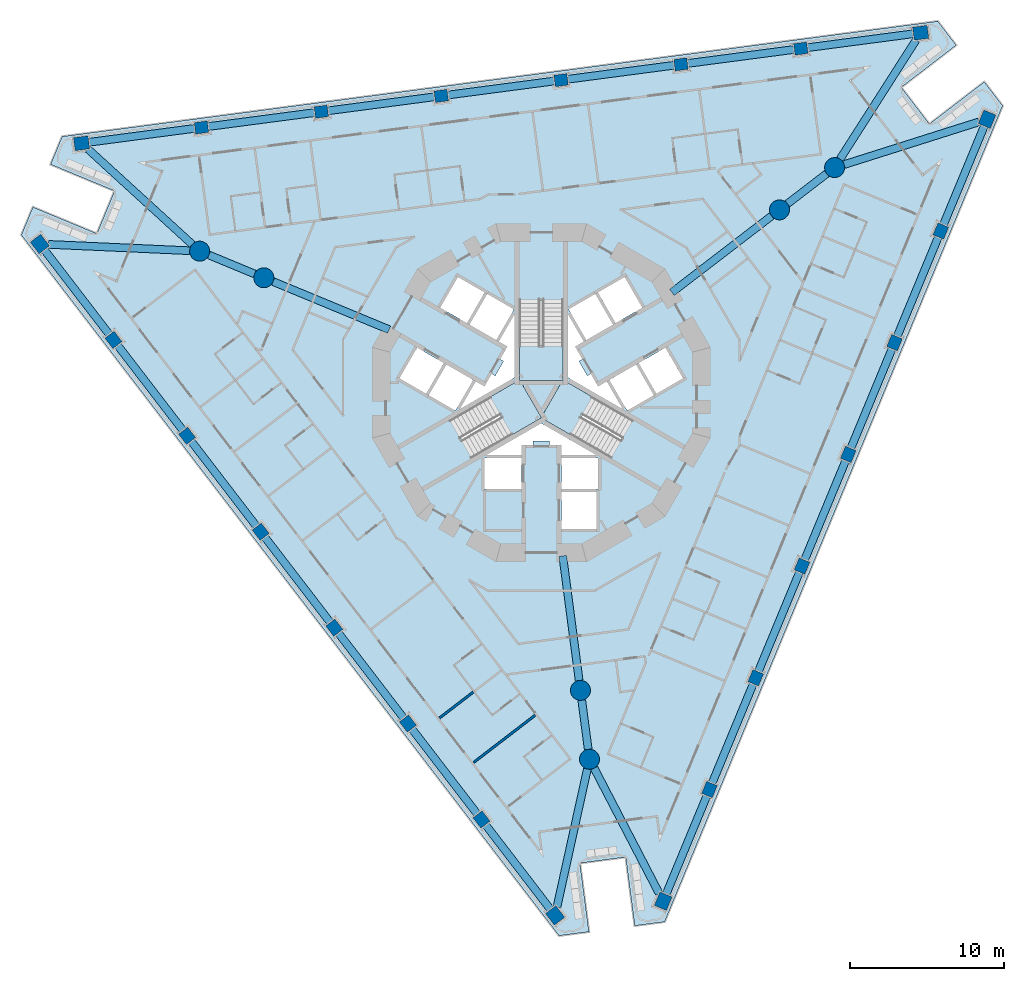
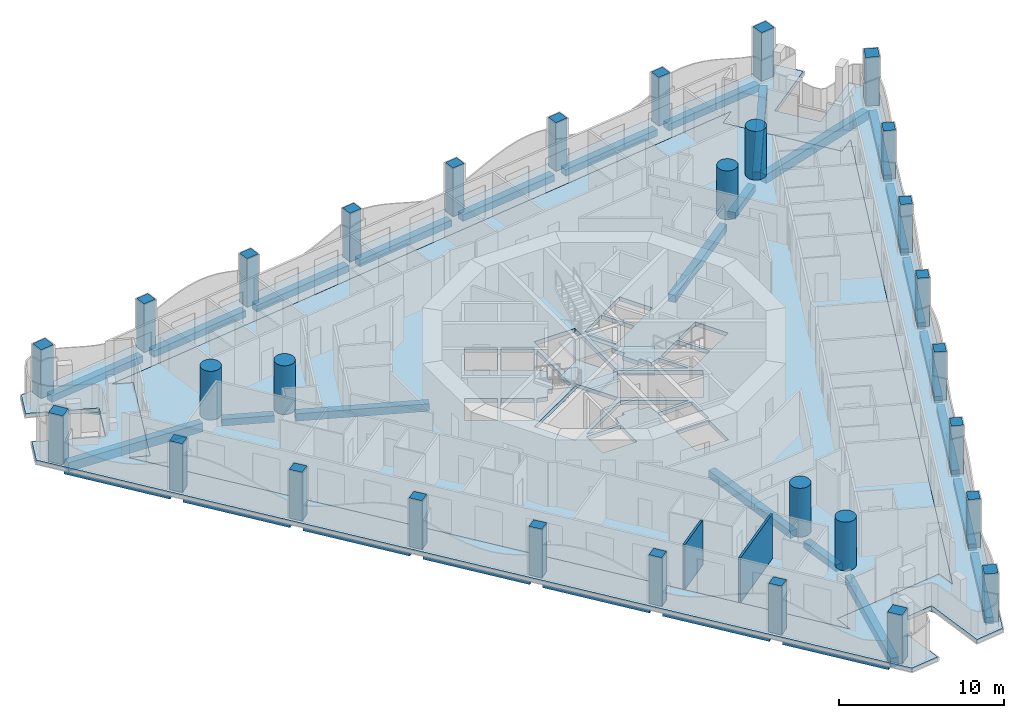
# One storey, part 1 of 19: 33 beams, 30 columns, 6 slabs, 2 walls, 3 elements without a shape of their own.
"""IFC4 building model written with IfcOpenShell, lengths in metres."""

from ifc_helpers import new_model, si_unit, direction, frame, frame_2d, origin, origin_2d, place, context, subcontext, project, spatial, polyline, rectangle, circle, outline, extrude, material, layer, layer_set, material_profile, profile_set, type_object, element, aggregate, save


model = new_model("IFC4")

# Units and contexts
model_context = context("Model", 3, precision=1e-05, world=origin(), true_north=direction((0.0, 1.0)))
body_context = subcontext(model_context, "Body", "Model", "MODEL_VIEW")
ifc_project = project(units=[si_unit("LENGTHUNIT", "METRE"), si_unit("AREAUNIT", "SQUARE_METRE"), si_unit("VOLUMEUNIT", "CUBIC_METRE"), si_unit("PLANEANGLEUNIT", "RADIAN"), si_unit("MASSUNIT", "GRAM", prefix="KILO")], contexts=[model_context])

# Site, building, storey
site_placement = place(None, origin())
site = spatial("IfcSite", under=ifc_project, at=site_placement, CompositionType="ELEMENT")
building_placement = place(site_placement, origin())
building = spatial("IfcBuilding", under=site, at=building_placement, Name="Trine Commons Tower", CompositionType="ELEMENT")
storey_placement = place(building_placement, frame((0.0, 0.0, 68.39990234375)))
storey = spatial("IfcBuildingStorey", under=building, at=storey_placement, Name="L16", CompositionType="ELEMENT", Elevation=68.39990234375)

# Columns
ifc_material_1 = material(Name="Concrete C80/95", Category="concrete")
ifc_material_profile_1 = material_profile(ifc_material_1, rectangle(XDim=0.85009765625, YDim=0.75, at=origin_2d()), Name="RC 850x750")
ifc_profile_set_1 = profile_set([ifc_material_profile_1], Name="Concrete C80/95")
column_type_1 = type_object("IfcColumnType", Name="RC column 850x750, C80/95", PredefinedType="COLUMN", material=ifc_profile_set_1)
for number, where, z_axis, x_axis, name in (
    (1, (76.1142578125, 34.74853515625, 0.0), (0.0, 0.0, 1.0), (-0.608761429009, 0.793353340291, 0.0), "Column PC2-02 L16"),
    (2, (71.3291015625, 40.984619140625, 0.0), (0.0, 0.0, 1.0), (-0.608761429009, 0.793353340291, 0.0), "Column PC2-03 L16"),
    (3, (66.5439453125, 47.220703125, 0.0), (0.0, 0.0, 1.0), (-0.608761429009, 0.793353340291, 0.0), "Column PC2-04 L16"),
    (4, (61.7587890625, 53.45703125, 0.0), (0.0, 0.0, 1.0), (-0.608761429009, 0.793353340291, 0.0), "Column PC2-05 L16"),
    (5, (56.9736328125, 59.693115234375, 0.0), (0.0, 0.0, 1.0), (-0.608761429009, 0.793353340291, 0.0), "Column PC2-06 L16"),
    (6, (52.1884765625, 65.92919921875, 0.0), (0.0, 0.0, 1.0), (-0.608761429009, 0.793353340291, 0.0), "Column PC2-07 L16"),
    (7, (57.9091796875, 79.740966796875, 0.0), (0.0, 0.0, 1.0), (0.991444861374, 0.13052619222, 0.0), "Column PC2-10 L16"),
    (8, (65.70263671875, 80.766845703125, 0.0), (0.0, 0.0, 1.0), (0.991444861374, 0.13052619222, 0.0), "Column PC2-11 L16"),
    (9, (73.495849609375, 81.79296875, 0.0), (0.0, 0.0, 1.0), (0.991444861374, 0.13052619222, 0.0), "Column PC2-12 L16"),
    (10, (81.2890625, 82.81884765625, 0.0), (0.0, 0.0, 1.0), (0.991444861374, 0.13052619222, 0.0), "Column PC2-13 L16"),
    (11, (89.08251953125, 83.844970703125, 0.0), (0.0, 0.0, 1.0), (0.991444861374, 0.13052619222, 0.0), "Column PC2-14 L16"),
    (12, (96.875732421875, 84.870849609375, 0.0), (0.0, 0.0, 1.0), (0.991444861374, 0.13052619222, 0.0), "Column PC2-15 L16"),
    (13, (105.976318359375, 73.010498046875, 0.0), (0.0, 0.0, 1.0), (0.382683432365, 0.923879532511, 0.0), "Column PC2-18 L16"),
    (14, (102.96826171875, 65.74853515625, 0.0), (0.0, 0.0, 1.0), (0.382683432365, 0.923879532511, 0.0), "Column PC2-19 L16"),
    (15, (99.960205078125, 58.486328125, 0.0), (0.0, 0.0, 1.0), (0.382683432365, 0.923879532511, 0.0), "Column PC2-20 L16"),
    (16, (96.9521484375, 51.22412109375, 0.0), (0.0, 0.0, 1.0), (0.382683432365, 0.923879532511, 0.0), "Column PC2-21 L16"),
    (17, (93.944091796875, 43.9619140625, 0.0), (0.0, 0.0, 1.0), (0.382683432365, 0.923879532511, 0.0), "Column PC2-22 L16"),
    (18, (90.935791015625, 36.69970703125, 0.0), (0.0, 0.0, 1.0), (0.382683432365, 0.923879532511, 0.0), "Column PC2-23 L16"),
):
    element("IfcColumn", number, at=place(storey_placement, frame(where, z_axis=z_axis, x_axis=x_axis)), inside=storey, type_object=column_type_1, Name=name, PredefinedType="COLUMN", context=body_context, shape_type="SweptSolid", body=[
        extrude(rectangle(XDim=0.85009765625, YDim=0.75, at=origin_2d()), origin(), (0.0, 0.0, 1.0), 3.60009765625),
    ])
ifc_material_profile_2 = material_profile(ifc_material_1, rectangle(XDim=0.949951171875, YDim=0.85009765625, at=origin_2d()), Name="RC 950x850")
ifc_profile_set_2 = profile_set([ifc_material_profile_2], Name="Concrete C80/95")
column_type_2 = type_object("IfcColumnType", Name="RC column 950x850, C80/95", PredefinedType="COLUMN", material=ifc_profile_set_2)
for number, where, z_axis, x_axis, name in (
    (19, (80.8994140625, 28.51220703125, 0.0), (0.0, 0.0, 1.0), (-0.608761429009, 0.793353340291, 0.0), "Column PC2-01 L16"),
    (20, (47.4033203125, 72.16552734375, 0.0), (0.0, 0.0, 1.0), (-0.608761429009, 0.793353340291, 0.0), "Column PC2-08 L16"),
    (21, (50.1162109375, 78.71484375, 0.0), (0.0, 0.0, 1.0), (0.991444861374, 0.13052619222, 0.0), "Column PC2-09 L16"),
    (22, (104.6689453125, 85.89697265625, 0.0), (0.0, 0.0, 1.0), (0.991444861374, 0.13052619222, 0.0), "Column PC2-16 L16"),
    (23, (108.984375, 80.272705078125, 0.0), (0.0, 0.0, 1.0), (0.382683432365, 0.923879532511, 0.0), "Column PC2-17 L16"),
    (24, (87.927734375, 29.4375, 0.0), (0.0, 0.0, 1.0), (0.382683432365, 0.923879532511, 0.0), "Column PC2-24 L16"),
):
    element("IfcColumn", number, at=place(storey_placement, frame(where, z_axis=z_axis, x_axis=x_axis)), inside=storey, type_object=column_type_2, Name=name, PredefinedType="COLUMN", context=body_context, shape_type="SweptSolid", body=[
        extrude(rectangle(XDim=0.949951171875, YDim=0.85009765625, at=origin_2d()), origin(), (0.0, 0.0, 1.0), 3.60009765625),
    ])
ifc_material_profile_3 = material_profile(ifc_material_1, circle(Radius=0.64990234375, at=origin_2d()), Name="RC round 1300")
ifc_profile_set_3 = profile_set([ifc_material_profile_3], Name="Concrete C80/95")
column_type_3 = type_object("IfcColumnType", Name="RC round column 1300 mm, C80/95", PredefinedType="COLUMN", material=ifc_profile_set_3)
for number, where, z_axis, x_axis, name in (
    (25, (82.548095703125, 43.14453125, 0.0), (0.0, 0.0, 1.0), (1.0, 0.0, 0.0), "Column WC2-1 L16"),
    (26, (83.1376953125, 38.6669921875, 0.0), (0.0, 0.0, 1.0), (1.0, 0.0, 0.0), "Column WC2-2 L16"),
    (27, (95.48828125, 74.384521484375, 0.0), (0.0, 0.0, 1.0), (1.0, 0.0, 0.0), "Column WC2-3 L16"),
    (28, (99.071044921875, 77.1337890625, 0.0), (0.0, 0.0, 1.0), (1.0, 0.0, 0.0), "Column WC2-4 L16"),
    (29, (61.963623046875, 69.970947265625, 0.0), (0.0, 0.0, 1.0), (1.0, 0.0, 0.0), "Column WC2-5 L16"),
    (30, (57.791259765625, 71.69921875, 0.0), (0.0, 0.0, 1.0), (1.0, 0.0, 0.0), "Column WC2-6 L16"),
):
    element("IfcColumn", number, at=place(storey_placement, frame(where, z_axis=z_axis, x_axis=x_axis)), inside=storey, type_object=column_type_3, Name=name, PredefinedType="COLUMN", context=body_context, shape_type="SweptSolid", body=[
        extrude(circle(Radius=0.64990234375, at=origin_2d()), origin(), (0.0, 0.0, 1.0), 3.60009765625),
    ])

# Beams
ifc_material_2 = material(Name="Concrete C50/60", Category="concrete")
ifc_material_profile_4 = material_profile(ifc_material_2, rectangle(XDim=0.5, YDim=0.5, at=origin_2d()), Name="RC 500x500")
ifc_profile_set_4 = profile_set([ifc_material_profile_4], Name="Concrete C50/60")
beam_type_1 = type_object("IfcBeamType", Name="RC beam 500x500, C50/60", PredefinedType="BEAM", material=ifc_profile_set_4)
beam_1_placement = place(storey_placement, frame((80.6103515625, 28.88916015625, -0.5498046875), z_axis=(-0.608757694977, 0.793356205501, 0.0), x_axis=(-0.793356205501, -0.608757694977, 0.0)))
element("IfcBeam", 31, at=beam_1_placement, inside=storey, type_object=beam_type_1, Name="Beam EB2-01 L16", PredefinedType="BEAM", context=body_context, shape_type="SweptSolid", body=[
    extrude(rectangle(XDim=0.5, YDim=0.5, at=origin_2d()), origin(), (0.0, 0.0, 1.0), 6.960693359375),
])
beam_2_placement = place(storey_placement, frame((75.855712890625, 35.085693359375, -0.5498046875), z_axis=(-0.608772912064, 0.793344528901, 0.0), x_axis=(-0.793344528901, -0.608772912064, 0.0)))
element("IfcBeam", 32, at=beam_2_placement, inside=storey, type_object=beam_type_1, Name="Beam EB2-02 L16", PredefinedType="BEAM", context=body_context, shape_type="SweptSolid", body=[
    extrude(rectangle(XDim=0.5, YDim=0.5, at=origin_2d()), origin(), (0.0, 0.0, 1.0), 7.010498046875),
])
beam_3_placement = place(storey_placement, frame((71.0703125, 41.322021484375, -0.5498046875), z_axis=(-0.608767812441, 0.793348442071, 0.0), x_axis=(-0.793348442071, -0.608767812441, 0.0)))
element("IfcBeam", 33, at=beam_3_placement, inside=storey, type_object=beam_type_1, Name="Beam EB2-03 L16", PredefinedType="BEAM", context=body_context, shape_type="SweptSolid", body=[
    extrude(rectangle(XDim=0.5, YDim=0.5, at=origin_2d()), origin(), (0.0, 0.0, 1.0), 7.01025390625),
])
for number, where, z_axis, x_axis, name in (
    (34, (66.285400390625, 47.55810546875, -0.5498046875), (-0.608772912064, 0.793344528901, 0.0), (-0.793344528901, -0.608772912064, 0.0), "Beam EB2-04 L16"),
    (35, (61.5, 53.794189453125, -0.5498046875), (-0.608750992772, 0.793361348188, 0.0), (-0.793361348188, -0.608750992772, 0.0), "Beam EB2-05 L16"),
):
    element("IfcBeam", number, at=place(storey_placement, frame(where, z_axis=z_axis, x_axis=x_axis)), inside=storey, type_object=beam_type_1, Name=name, PredefinedType="BEAM", context=body_context, shape_type="SweptSolid", body=[
        extrude(rectangle(XDim=0.5, YDim=0.5, at=origin_2d()), origin(), (0.0, 0.0, 1.0), 7.010498046875),
    ])
beam_4_placement = place(storey_placement, frame((56.71484375, 60.030517578125, -0.5498046875), z_axis=(-0.608789731625, 0.793331622128, 0.0), x_axis=(-0.793331622128, -0.608789731625, 0.0)))
element("IfcBeam", 36, at=beam_4_placement, inside=storey, type_object=beam_type_1, Name="Beam EB2-06 L16", PredefinedType="BEAM", context=body_context, shape_type="SweptSolid", body=[
    extrude(rectangle(XDim=0.5, YDim=0.5, at=origin_2d()), origin(), (0.0, 0.0, 1.0), 7.01025390625),
])
beam_5_placement = place(storey_placement, frame((51.9296875, 66.2666015625, -0.5498046875), z_axis=(-0.608757694977, 0.793356205501, 0.0), x_axis=(-0.793356205501, -0.608757694977, 0.0)))
element("IfcBeam", 37, at=beam_5_placement, inside=storey, type_object=beam_type_1, Name="Beam EB2-07 L16", PredefinedType="BEAM", context=body_context, shape_type="SweptSolid", body=[
    extrude(rectangle(XDim=0.5, YDim=0.5, at=origin_2d()), origin(), (0.0, 0.0, 1.0), 6.960693359375),
])
beam_6_placement = place(storey_placement, frame((50.5869140625, 78.77685546875, -0.5498046875), z_axis=(0.991446175382, 0.130516210946, 0.0), x_axis=(-0.130516210946, 0.991446175382, 0.0)))
element("IfcBeam", 38, at=beam_6_placement, inside=storey, type_object=beam_type_1, Name="Beam EB2-08 L16", PredefinedType="BEAM", context=body_context, shape_type="SweptSolid", body=[
    extrude(rectangle(XDim=0.5, YDim=0.5, at=origin_2d()), origin(), (0.0, 0.0, 1.0), 6.96044921875),
])
for number, where, z_axis, x_axis, name in (
    (39, (58.330810546875, 79.79638671875, -0.5498046875), (0.991444928767, 0.13052568032, 0.0), (-0.13052568032, 0.991444928767, 0.0), "Beam EB2-09 L16"),
    (40, (66.1240234375, 80.822509765625, -0.5498046875), (0.99144943492, 0.130491447984, 0.0), (-0.130491447984, 0.99144943492, 0.0), "Beam EB2-10 L16"),
    (41, (73.917236328125, 81.848388671875, -0.5498046875), (0.991444928767, 0.13052568032, 0.0), (-0.13052568032, 0.991444928767, 0.0), "Beam EB2-11 L16"),
    (42, (81.71044921875, 82.87451171875, -0.5498046875), (0.99144943492, 0.130491447984, 0.0), (-0.130491447984, 0.99144943492, 0.0), "Beam EB2-12 L16"),
    (43, (89.50390625, 83.900390625, -0.5498046875), (0.991444928767, 0.13052568032, 0.0), (-0.13052568032, 0.991444928767, 0.0), "Beam EB2-13 L16"),
):
    element("IfcBeam", number, at=place(storey_placement, frame(where, z_axis=z_axis, x_axis=x_axis)), inside=storey, type_object=beam_type_1, Name=name, PredefinedType="BEAM", context=body_context, shape_type="SweptSolid", body=[
        extrude(rectangle(XDim=0.5, YDim=0.5, at=origin_2d()), origin(), (0.0, 0.0, 1.0), 7.010498046875),
    ])
for number, where, z_axis, x_axis, name in (
    (44, (97.297119140625, 84.926513671875, -0.5498046875), (0.991446175382, 0.130516210946, 0.0), (-0.130516210946, 0.991446175382, 0.0), "Beam EB2-14 L16"),
    (45, (108.802490234375, 79.833984375, -0.5498046875), (-0.382671898974, -0.923884309714, 0.0), (0.923884309714, -0.382671898974, 0.0), "Beam EB2-15 L16"),
):
    element("IfcBeam", number, at=place(storey_placement, frame(where, z_axis=z_axis, x_axis=x_axis)), inside=storey, type_object=beam_type_1, Name=name, PredefinedType="BEAM", context=body_context, shape_type="SweptSolid", body=[
        extrude(rectangle(XDim=0.5, YDim=0.5, at=origin_2d()), origin(), (0.0, 0.0, 1.0), 6.96044921875),
    ])
beam_7_placement = place(storey_placement, frame((105.813720703125, 72.617919921875, -0.5498046875), z_axis=(-0.382693194178, -0.923875488976, 0.0), x_axis=(0.923875488976, -0.382693194178, 0.0)))
element("IfcBeam", 46, at=beam_7_placement, inside=storey, type_object=beam_type_1, Name="Beam EB2-16 L16", PredefinedType="BEAM", context=body_context, shape_type="SweptSolid", body=[
    extrude(rectangle(XDim=0.5, YDim=0.5, at=origin_2d()), origin(), (0.0, 0.0, 1.0), 7.010498046875),
])
for number, where, z_axis, x_axis, name in (
    (47, (102.8056640625, 65.35595703125, -0.5498046875), (-0.382680881742, -0.92388058901, 0.0), (0.92388058901, -0.382680881742, 0.0), "Beam EB2-17 L16"),
    (48, (99.797607421875, 58.09375, -0.5498046875), (-0.382680881742, -0.92388058901, 0.0), (0.92388058901, -0.382680881742, 0.0), "Beam EB2-18 L16"),
    (49, (96.78955078125, 50.83154296875, -0.5498046875), (-0.382680881742, -0.92388058901, 0.0), (0.92388058901, -0.382680881742, 0.0), "Beam EB2-19 L16"),
    (50, (93.781494140625, 43.5693359375, -0.5498046875), (-0.382710605355, -0.923868276622, 0.0), (0.923868276622, -0.382710605355, 0.0), "Beam EB2-20 L16"),
):
    element("IfcBeam", number, at=place(storey_placement, frame(where, z_axis=z_axis, x_axis=x_axis)), inside=storey, type_object=beam_type_1, Name=name, PredefinedType="BEAM", context=body_context, shape_type="SweptSolid", body=[
        extrude(rectangle(XDim=0.5, YDim=0.5, at=origin_2d()), origin(), (0.0, 0.0, 1.0), 7.0107421875),
    ])
beam_8_placement = place(storey_placement, frame((90.773193359375, 36.30712890625, -0.5498046875), z_axis=(-0.382671898974, -0.923884309714, 0.0), x_axis=(0.923884309714, -0.382671898974, 0.0)))
element("IfcBeam", 51, at=beam_8_placement, inside=storey, type_object=beam_type_1, Name="Beam EB2-21 L16", PredefinedType="BEAM", context=body_context, shape_type="SweptSolid", body=[
    extrude(rectangle(XDim=0.5, YDim=0.5, at=origin_2d()), origin(), (0.0, 0.0, 1.0), 6.96044921875),
])
beam_9_placement = place(storey_placement, frame((82.633056640625, 42.500732421875, -0.5498046875), z_axis=(0.130513398023, -0.991446545678, 0.0), x_axis=(0.991446545678, 0.130513398023, 0.0)))
element("IfcBeam", 52, at=beam_9_placement, inside=storey, type_object=beam_type_1, Name="Beam RB2-02 L16", PredefinedType="BEAM", context=body_context, shape_type="SweptSolid", body=[
    extrude(rectangle(XDim=0.5, YDim=0.5, at=origin_2d()), origin(), (0.0, 0.0, 1.0), 3.217529296875),
])
beam_10_placement = place(storey_placement, frame((96.00341796875, 74.77978515625, -0.5498046875), z_axis=(0.793368133848, 0.608742149185, 0.0), x_axis=(-0.608742149185, 0.793368133848, 0.0)))
element("IfcBeam", 53, at=beam_10_placement, inside=storey, type_object=beam_type_1, Name="Beam RB2-04 L16", PredefinedType="BEAM", context=body_context, shape_type="SweptSolid", body=[
    extrude(rectangle(XDim=0.5, YDim=0.5, at=origin_2d()), origin(), (0.0, 0.0, 1.0), 3.21728515625),
])
beam_11_placement = place(storey_placement, frame((61.363037109375, 70.2197265625, -0.5498046875), z_axis=(-0.923878970326, 0.382684789598, 0.0), x_axis=(-0.382684789598, -0.923878970326, 0.0)))
element("IfcBeam", 54, at=beam_11_placement, inside=storey, type_object=beam_type_1, Name="Beam RB2-06 L16", PredefinedType="BEAM", context=body_context, shape_type="SweptSolid", body=[
    extrude(rectangle(XDim=0.5, YDim=0.5, at=origin_2d()), origin(), (0.0, 0.0, 1.0), 3.216064453125),
])
ifc_material_profile_5 = material_profile(ifc_material_2, rectangle(XDim=0.5, YDim=0.550048828125, at=origin_2d()), Name="RC 500x550")
ifc_profile_set_5 = profile_set([ifc_material_profile_5], Name="Concrete C50/60")
beam_type_2 = type_object("IfcBeamType", Name="RC beam 500x550, C50/60", PredefinedType="BEAM", material=ifc_profile_set_5)
for number, where, z_axis, x_axis, name in (
    (55, (81.3974609375, 51.885009765625, -0.574951171875), (0.13051869661, -0.991445848161, 0.0), (0.991445848161, 0.13051869661, 0.0), "Beam RB2-01 L16"),
    (56, (88.494140625, 69.017578125, -0.574951171875), (0.79334357443, 0.608774155916, 0.0), (-0.608774155916, 0.79334357443, 0.0), "Beam RB2-03 L16"),
):
    element("IfcBeam", number, at=place(storey_placement, frame(where, z_axis=z_axis, x_axis=x_axis)), inside=storey, type_object=beam_type_2, Name=name, PredefinedType="BEAM", context=body_context, shape_type="SweptSolid", body=[
        extrude(rectangle(XDim=0.5, YDim=0.550048828125, at=origin_2d()), origin(), (0.0, 0.0, 1.0), 8.166748046875),
    ])
beam_12_placement = place(storey_placement, frame((70.1083984375, 66.59716796875, -0.574951171875), z_axis=(-0.923875444746, 0.382693300953, 0.0), x_axis=(-0.382693300953, -0.923875444746, 0.0)))
element("IfcBeam", 57, at=beam_12_placement, inside=storey, type_object=beam_type_2, Name="Beam RB2-05 L16", PredefinedType="BEAM", context=body_context, shape_type="SweptSolid", body=[
    extrude(rectangle(XDim=0.5, YDim=0.550048828125, at=origin_2d()), origin(), (0.0, 0.0, 1.0), 8.165771484375),
])
ifc_material_profile_6 = material_profile(ifc_material_2, rectangle(XDim=0.5, YDim=0.64990234375, at=origin_2d()), Name="RC 500x650")
ifc_profile_set_6 = profile_set([ifc_material_profile_6], Name="Concrete C50/60")
beam_type_3 = type_object("IfcBeamType", Name="RC beam 500x650, C50/60", PredefinedType="BEAM", material=ifc_profile_set_6)
for number, where, z_axis, x_axis, name in (
    (58, (47.9580078125, 72.140625, -0.625), (0.998993680757, -0.044851151696, 0.0), (0.044851151696, 0.998993680757, 0.0), "Beam CB2-01 L16"),
    (59, (50.52587890625, 78.340087890625, -0.625), (0.738114574549, -0.674675384788, 0.0), (0.674675384788, 0.738114574549, 0.0), "Beam CB2-02 L16"),
    (60, (104.369873046875, 85.428955078125, -0.625), (-0.538318035677, -0.842741770927, 0.0), (0.842741770927, -0.538318035677, 0.0), "Beam CB2-03 L16"),
):
    element("IfcBeam", number, at=place(storey_placement, frame(where, z_axis=z_axis, x_axis=x_axis)), inside=storey, type_object=beam_type_3, Name=name, PredefinedType="BEAM", context=body_context, shape_type="SweptSolid", body=[
        extrude(rectangle(XDim=0.5, YDim=0.64990234375, at=origin_2d()), origin(), (0.0, 0.0, 1.0), 9.19384765625),
    ])
beam_13_placement = place(storey_placement, frame((108.454833984375, 80.10498046875, -0.625), z_axis=(-0.953349995529, -0.301867166193, 0.0), x_axis=(0.301867166193, -0.953349995529, 0.0)))
element("IfcBeam", 61, at=beam_13_placement, inside=storey, type_object=beam_type_3, Name="Beam CB2-04 L16", PredefinedType="BEAM", context=body_context, shape_type="SweptSolid", body=[
    extrude(rectangle(XDim=0.5, YDim=0.64990234375, at=origin_2d()), origin(), (0.0, 0.0, 1.0), 9.193359375),
])
for number, where, z_axis, x_axis, name in (
    (62, (87.672119140625, 29.930419921875, -0.625), (-0.460652760363, 0.887580438253, 0.0), (-0.887580438253, -0.460652760363, 0.0), "Beam CB2-05 L16"),
    (63, (81.01904296875, 29.0546875, -0.625), (0.215234621965, 0.976562367444, 0.0), (-0.976562367444, 0.215234621965, 0.0), "Beam CB2-06 L16"),
):
    element("IfcBeam", number, at=place(storey_placement, frame(where, z_axis=z_axis, x_axis=x_axis)), inside=storey, type_object=beam_type_3, Name=name, PredefinedType="BEAM", context=body_context, shape_type="SweptSolid", body=[
        extrude(rectangle(XDim=0.5, YDim=0.64990234375, at=origin_2d()), origin(), (0.0, 0.0, 1.0), 9.193603515625),
    ])

# Slabs
ifc_layer_1 = layer(ifc_material_2, 0.300048828125)
ifc_layer_set_1 = layer_set([ifc_layer_1], Name="Concrete C50/60")
slab_type_1 = type_object("IfcSlabType", Name="Loggia slab 300 mm, C50/60", PredefinedType="FLOOR", material=ifc_layer_set_1)
slab_1_placement = place(storey_placement, frame((0.0, 0.0, -0.2998046875)))
element("IfcSlab", 64, at=slab_1_placement, inside=storey, type_object=slab_type_1, Name="Loggia slab L16", PredefinedType="FLOOR", context=body_context, shape_type="SweptSolid", body=[
    extrude(outline(polyline([(88.02294921875, 28.099365234375), (109.998046875, 81.15185546875), (108.80224609375, 82.710205078125), (105.232177734375, 79.970703125), (103.406005859375, 82.3505859375), (106.97607421875, 85.090087890625), (105.780517578125, 86.6484375), (48.847900390625, 79.153076171875), (48.096435546875, 77.33837890625), (52.25390625, 75.616455078125), (51.105712890625, 72.8447265625), (46.948486328125, 74.56689453125), (46.19677734375, 72.752197265625), (81.154052734375, 27.195068359375), (83.101318359375, 27.451416015625), (82.513916015625, 31.912841796875), (85.48828125, 32.304443359375), (86.07568359375, 27.843017578125), (88.02294921875, 28.099365234375)]), holes=[polyline([(79.99658203125, 32.6455078125), (79.8212890625, 33.97900390625), (87.554443359375, 34.997314453125), (87.72998046875, 33.663818359375), (105.856201171875, 77.42431640625), (104.789306640625, 76.605712890625), (100.041015625, 82.793701171875), (101.10791015625, 83.612548828125), (54.14697265625, 77.429931640625), (55.3896484375, 76.915283203125), (52.40478515625, 69.708984375), (51.162109375, 70.2236328125), (79.99658203125, 32.6455078125)])]), origin(), (0.0, 0.0, 1.0), 0.2998046875),
])
ifc_layer_2 = layer(ifc_material_2, 0.300048828125)
ifc_layer_set_2 = layer_set([ifc_layer_2], Name="Concrete C50/60")
slab_type_2 = type_object("IfcSlabType", Name="PT flat slab 300 mm, C50/60", PredefinedType="FLOOR", material=ifc_layer_set_2)
slab_2_placement = place(storey_placement, frame((0.0, 0.0, -0.2998046875)))
element("IfcSlab", 65, at=slab_2_placement, inside=storey, type_object=slab_type_2, Name="Floor slab L16", PredefinedType="FLOOR", context=body_context, shape_type="SweptSolid", body=[
    extrude(outline(polyline([(51.162109375, 70.2236328125), (79.99658203125, 32.6455078125), (79.8212890625, 33.97900390625), (87.554443359375, 34.997314453125), (87.72998046875, 33.663818359375), (105.856201171875, 77.42431640625), (104.789306640625, 76.605712890625), (100.041015625, 82.793701171875), (101.10791015625, 83.612548828125), (54.14697265625, 77.429931640625), (55.3896484375, 76.915283203125), (52.40478515625, 69.708984375), (51.162109375, 70.2236328125)]), holes=[polyline([(76.300048828125, 56.25), (78.699951171875, 56.25), (78.699951171875, 58.25), (76.300048828125, 58.25), (76.300048828125, 56.25)]), polyline([(81.14990234375, 59.10009765625), (81.300048828125, 58.449951171875), (83.56494140625, 58.449951171875), (80.0, 60.508056640625), (76.43505859375, 58.449951171875), (78.699951171875, 58.449951171875), (78.85009765625, 59.10009765625), (79.449951171875, 59.10009765625), (79.449951171875, 59.360107421875), (80.550048828125, 59.360107421875), (80.550048828125, 59.10009765625), (81.14990234375, 59.10009765625)]), polyline([(80.0, 60.8544921875), (84.4755859375, 58.2705078125), (85.900390625, 60.73876953125), (81.425048828125, 63.32275390625), (81.425048828125, 68.490478515625), (78.574951171875, 68.490478515625), (78.574951171875, 63.32275390625), (74.099609375, 60.73876953125), (75.5244140625, 58.2705078125), (80.0, 60.8544921875)]), polyline([(73.83740234375, 64.325927734375), (72.687255859375, 62.333984375), (74.41943359375, 61.333984375), (75.5693359375, 63.325927734375), (73.83740234375, 64.325927734375)]), polyline([(71.93212890625, 65.426025390625), (70.781982421875, 63.43408203125), (72.51416015625, 62.43408203125), (73.6640625, 64.426025390625), (71.93212890625, 65.426025390625)]), polyline([(76.781005859375, 63.722900390625), (76.381103515625, 63.031005859375), (75.742919921875, 63.22607421875), (74.7099609375, 61.43798828125), (78.27490234375, 63.49609375), (78.27490234375, 67.612060546875), (77.242919921875, 65.823974609375), (77.73095703125, 65.368896484375), (77.3310546875, 64.676025390625), (77.555908203125, 64.5458984375), (77.006103515625, 63.593994140625), (76.781005859375, 63.722900390625)]), polyline([(76.4873046875, 68.916015625), (75.33740234375, 66.924072265625), (77.0693359375, 65.924072265625), (78.219482421875, 67.916015625), (76.4873046875, 68.916015625)]), polyline([(74.58203125, 70.015869140625), (73.43212890625, 68.02392578125), (75.1640625, 67.02392578125), (76.314208984375, 69.015869140625), (74.58203125, 70.015869140625)]), polyline([(81.300048828125, 53.64990234375), (83.60009765625, 53.64990234375), (83.60009765625, 56.050048828125), (81.300048828125, 56.050048828125), (81.300048828125, 53.64990234375)]), polyline([(81.300048828125, 56.25), (83.699951171875, 56.25), (83.699951171875, 58.25), (81.300048828125, 58.25), (81.300048828125, 56.25)]), polyline([(87.312744140625, 62.333984375), (86.16259765625, 64.325927734375), (84.4306640625, 63.325927734375), (85.58056640625, 61.333984375), (87.312744140625, 62.333984375)]), polyline([(89.218017578125, 63.43408203125), (88.06787109375, 65.426025390625), (86.3359375, 64.426025390625), (87.48583984375, 62.43408203125), (89.218017578125, 63.43408203125)]), polyline([(83.243896484375, 63.738037109375), (82.993896484375, 63.593994140625), (82.444091796875, 64.5458984375), (82.72705078125, 64.7099609375), (82.281005859375, 65.549072265625), (82.757080078125, 65.823974609375), (81.72509765625, 67.612060546875), (81.72509765625, 63.49609375), (85.2900390625, 61.43798828125), (84.257080078125, 63.22607421875), (83.618896484375, 63.031005859375), (83.243896484375, 63.738037109375)]), polyline([(82.9306640625, 65.924072265625), (84.66259765625, 66.924072265625), (83.5126953125, 68.916015625), (81.780517578125, 67.916015625), (82.9306640625, 65.924072265625)]), polyline([(84.8359375, 67.02392578125), (86.56787109375, 68.02392578125), (85.41796875, 70.015869140625), (83.685791015625, 69.015869140625), (84.8359375, 67.02392578125)])]), origin(), (0.0, 0.0, 1.0), 0.2998046875),
])
slab_3_placement = place(storey_placement, frame((0.0, 0.0, -0.2998046875)))
element("IfcSlab", 66, at=slab_3_placement, inside=storey, type_object=slab_type_2, Name="Floor slab L16 2", PredefinedType="FLOOR", context=body_context, shape_type="SweptSolid", body=[
    extrude(outline(polyline([(78.61328125, 63.300537109375), (80.0, 60.89892578125), (81.38671875, 63.300537109375), (78.61328125, 63.300537109375)])), origin(), (0.0, 0.0, 1.0), 0.2998046875),
])

# Stair, slab
stair_type = type_object("IfcStairType", Name="Exit stair, dog-leg, 24 risers of 150 mm", PredefinedType="HALF_TURN_STAIR", material=ifc_material_2)
stair_1_placement = place(storey_placement, origin())
stair_1 = element("IfcStair", 67, at=stair_1_placement, inside=storey, type_object=stair_type, Name="L16 Exit stair ST1A", PredefinedType="HALF_TURN_STAIR")
ifc_layer_3 = layer(ifc_material_2, 0.199951171875)
ifc_layer_set_3 = layer_set([ifc_layer_3], Name="Concrete C50/60")
slab_type_3 = type_object("IfcSlabType", Name="Stair landing slab 200 mm, C50/60", PredefinedType="LANDING", material=ifc_layer_set_3)
slab_4_placement = place(storey_placement, frame((0.0, 0.0, 1.60009765625)))
slab_4 = element("IfcSlab", 68, at=slab_4_placement, type_object=slab_type_3, Name="ST1A landing 1", PredefinedType="LANDING", context=body_context, shape_type="SweptSolid", body=[
    extrude(outline(polyline([(78.574951171875, 65.570556640625), (78.574951171875, 63.300537109375), (81.425048828125, 63.300537109375), (81.425048828125, 65.570556640625), (78.574951171875, 65.570556640625)])), origin(), (0.0, 0.0, 1.0), 0.199951171875),
])
aggregate(stair_1, [slab_4])

stair_2_placement = place(storey_placement, origin())
stair_2 = element("IfcStair", 69, at=stair_2_placement, inside=storey, type_object=stair_type, Name="L16 Exit stair ST2A", PredefinedType="HALF_TURN_STAIR")
slab_5_placement = place(storey_placement, frame((0.0, 0.0, 1.60009765625)))
slab_5 = element("IfcSlab", 70, at=slab_5_placement, type_object=slab_type_3, Name="ST2A landing 1", PredefinedType="LANDING", context=body_context, shape_type="SweptSolid", body=[
    extrude(outline(polyline([(78.05322265625, 59.730712890625), (80.019287109375, 60.86572265625), (78.59423828125, 63.333740234375), (76.628173828125, 62.19873046875), (78.05322265625, 59.730712890625)])), origin(), (0.0, 0.0, 1.0), 0.199951171875),
])
aggregate(stair_2, [slab_5])

stair_3_placement = place(storey_placement, origin())
stair_3 = element("IfcStair", 71, at=stair_3_placement, inside=storey, type_object=stair_type, Name="L16 Exit stair ST3A", PredefinedType="HALF_TURN_STAIR")
slab_6_placement = place(storey_placement, frame((0.0, 0.0, 1.60009765625)))
slab_6 = element("IfcSlab", 72, at=slab_6_placement, type_object=slab_type_3, Name="ST3A landing 1", PredefinedType="LANDING", context=body_context, shape_type="SweptSolid", body=[
    extrude(outline(polyline([(83.371826171875, 62.19873046875), (81.40576171875, 63.333740234375), (79.980712890625, 60.86572265625), (81.94677734375, 59.730712890625), (83.371826171875, 62.19873046875)])), origin(), (0.0, 0.0, 1.0), 0.199951171875),
])
aggregate(stair_3, [slab_6])

# Walls
ifc_material_3 = material(Name="Gypsum plasterboard on steel stud", Category="steel")
ifc_layer_4 = layer(ifc_material_3, 0.14990234375)
ifc_layer_set_4 = layer_set([ifc_layer_4], Name="Gypsum plasterboard on steel stud")
wall_type = type_object("IfcWallType", Name="Unit and corridor wall 150 mm, EI 60", PredefinedType="PARTITIONING", material=ifc_layer_set_4)
wall_1_placement = place(storey_placement, frame((73.373779296875, 41.34228515625, 0.0), z_axis=(0.0, 0.0, 1.0), x_axis=(0.793579594979, 0.608466454648, 0.0)))
element("IfcWall", 73, at=wall_1_placement, inside=storey, type_object=wall_type, Name="Partition 060", PredefinedType="PARTITIONING", context=body_context, shape_type="SweptSolid", body=[
    extrude(rectangle(XDim=2.789306640625, YDim=0.14990234375, at=frame_2d((1.39453125, 0.0))), origin(), (0.0, 0.0, 1.0), 3.300048828125),
])
wall_2_placement = place(storey_placement, frame((75.5927734375, 38.451416015625, 0.0), z_axis=(0.0, 0.0, 1.0), x_axis=(0.793302827183, 0.608827253318, 0.0)))
element("IfcWall", 74, at=wall_2_placement, inside=storey, type_object=wall_type, Name="Partition 067", PredefinedType="PARTITIONING", context=body_context, shape_type="SweptSolid", body=[
    extrude(rectangle(XDim=5.0634765625, YDim=0.14990234375, at=frame_2d((2.53173828125, 0.0))), origin(), (0.0, 0.0, 1.0), 3.300048828125),
])

save(model, "model.ifc")
